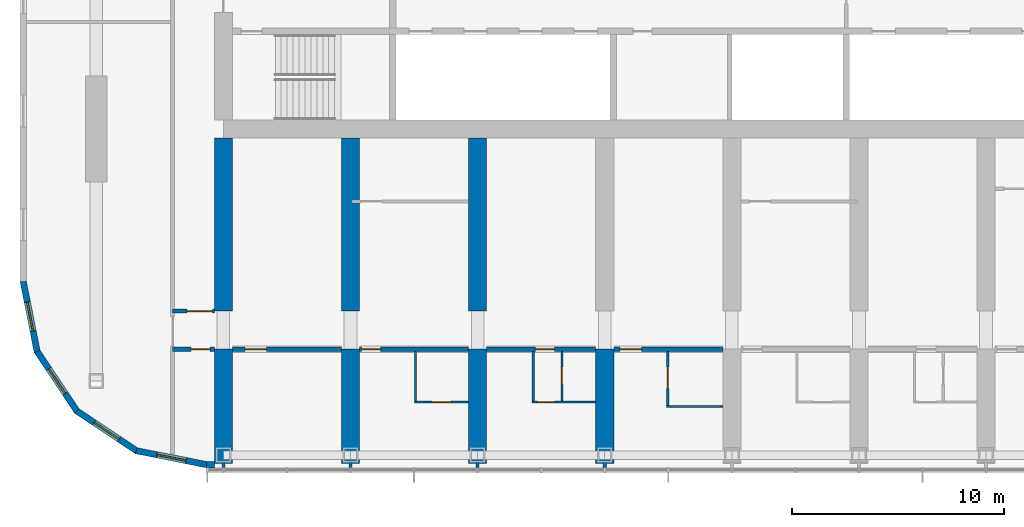
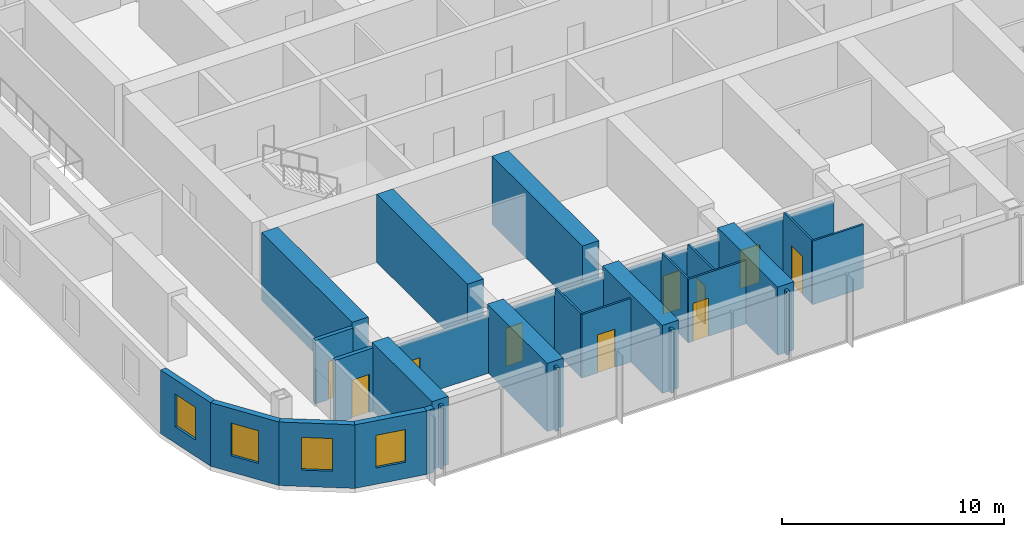
# One storey, part 10 of 22: 29 walls, 10 doors, 4 windows, 14 openings.
"""IFC4 building model written with IfcOpenShell, lengths in metres."""

from ifc_helpers import new_model, si_unit, direction, frame, frame_2d, origin, place, context, subcontext, project, spatial, polyline, rectangle, outline, extrude, material, layer, layer_set, type_object, element, fill, save


model = new_model("IFC4")

# Units and contexts
model_context = context("Model", 3, precision=1e-05, world=origin(), true_north=direction((0.0, 1.0)))
body_context = subcontext(model_context, "Body", "Model", "MODEL_VIEW")
ifc_project = project(units=[si_unit("LENGTHUNIT", "METRE"), si_unit("AREAUNIT", "SQUARE_METRE"), si_unit("VOLUMEUNIT", "CUBIC_METRE"), si_unit("PLANEANGLEUNIT", "RADIAN"), si_unit("MASSUNIT", "GRAM", prefix="KILO")], contexts=[model_context])

# Site, building, storey
site_placement = place(None, origin())
site = spatial("IfcSite", under=ifc_project, at=site_placement, CompositionType="ELEMENT")
building_placement = place(site_placement, origin())
building = spatial("IfcBuilding", under=site, at=building_placement, Name="Orbita Commons", CompositionType="ELEMENT")
storey_placement = place(building_placement, frame((0.0, 0.0, 152.35009765625)))
storey = spatial("IfcBuildingStorey", under=building, at=storey_placement, Name="L37", CompositionType="ELEMENT", Elevation=152.35009765625)

# Wall, opening, door
ifc_material_1 = material(Name="Concrete blockwork", Category="masonry")
ifc_layer_1 = layer(ifc_material_1, 0.199951171875)
ifc_layer_set_1 = layer_set([ifc_layer_1], Name="Concrete blockwork")
wall_type_1 = type_object("IfcWallType", Name="Corridor wall 200 blockwork", PredefinedType="SOLIDWALL", material=ifc_layer_set_1)
wall_1_placement = place(storey_placement, frame((15.60009765625, 15.39990234375, 0.0), z_axis=(0.0, 0.0, 1.0), x_axis=(1.0, 0.0, 0.0)))
wall_1 = element("IfcWall", 1, at=wall_1_placement, inside=storey, type_object=wall_type_1, Name="Corridor wall 200 blockwork L37", PredefinedType="SOLIDWALL", context=body_context, shape_type="SweptSolid", body=[
    extrude(rectangle(XDim=1.974853515625, YDim=0.199951171875, at=frame_2d((0.9873046875, 0.0))), origin(), (0.0, 0.0, 1.0), 3.5),
])
opening_1_placement = place(wall_1_placement, frame((0.875, 0.0, 0.0)))
opening_1 = element("IfcOpeningElement", 2, at=opening_1_placement, cuts=wall_1, Name="Opening D05", PredefinedType="OPENING", context=body_context, shape_type="SweptSolid", body=[
    extrude(rectangle(XDim=0.89990234375, YDim=2.10009765625, at=frame_2d((0.449951171875, 1.050048828125))), frame((0.0, 0.10986328125, 0.0), z_axis=(0.0, -1.0, 0.0), x_axis=(1.0, 0.0, 0.0)), (0.0, 0.0, 1.0), 0.219970703125),
])
ifc_material_2 = material(Name="Steel-faced fire door leaf", Category="steel")
door_type_1 = type_object("IfcDoorType", Name="Service door 20 min 900x2100", OperationType="SINGLE_SWING_LEFT", PredefinedType="DOOR", material=ifc_material_2)
door_1_placement = place(opening_1_placement, origin())
door_1 = element("IfcDoor", 3, at=door_1_placement, inside=storey, type_object=door_type_1, Name="Linen store L37-KWS door", OperationType="SINGLE_SWING_LEFT", OverallHeight=2.10009765625, OverallWidth=0.89990234375, PredefinedType="DOOR", context=body_context, shape_type="SweptSolid", body=[
    extrude(rectangle(XDim=0.89990234375, YDim=2.10009765625, at=frame_2d((0.449951171875, 1.050048828125))), frame((0.0, 0.02490234375, 0.0), z_axis=(0.0, -1.0, 0.0), x_axis=(1.0, 0.0, 0.0)), (0.0, 0.0, 1.0), 0.050048828125),
])
fill(opening_1, door_1)

wall_2_placement = place(storey_placement, frame((18.425048828125, 15.39990234375, 0.0), z_axis=(0.0, 0.0, 1.0), x_axis=(1.0, 0.0, 0.0)))
wall_2 = element("IfcWall", 4, at=wall_2_placement, inside=storey, type_object=wall_type_1, Name="Corridor wall 200 blockwork L37", PredefinedType="SOLIDWALL", context=body_context, shape_type="SweptSolid", body=[
    extrude(outline(polyline([(0.0, 0.0), (5.14990234375, 0.0), (5.14990234375, 3.099853515625), (0.0, 3.099853515625), (0.0, 0.0)])), frame((0.0, 0.10009765625, 0.0), z_axis=(0.0, -1.0, 0.0), x_axis=(1.0, 0.0, 0.0)), (0.0, 0.0, 1.0), 0.199951171875),
])
opening_2_placement = place(wall_2_placement, frame((0.60009765625, 0.0, 0.0)))
opening_2 = element("IfcOpeningElement", 5, at=opening_2_placement, cuts=wall_2, Name="Opening D06", PredefinedType="OPENING", context=body_context, shape_type="SweptSolid", body=[
    extrude(rectangle(XDim=1.0, YDim=2.10009765625, at=frame_2d((0.5, 1.050048828125))), frame((0.0, 0.10986328125, 0.0), z_axis=(0.0, -1.0, 0.0), x_axis=(1.0, 0.0, 0.0)), (0.0, 0.0, 1.0), 0.219970703125),
])
ifc_material_3 = material(Name="Steel-faced fire door leaf", Category="steel")
door_type_2 = type_object("IfcDoorType", Name="Corridor door 20 min 1000x2100", OperationType="SINGLE_SWING_LEFT", PredefinedType="DOOR", material=ifc_material_3)
door_2_placement = place(opening_2_placement, origin())
door_2 = element("IfcDoor", 6, at=door_2_placement, inside=storey, type_object=door_type_2, Name="Mountain-view lounge L37-S00 door", OperationType="SINGLE_SWING_LEFT", OverallHeight=2.10009765625, OverallWidth=1.0, PredefinedType="DOOR", context=body_context, shape_type="SweptSolid", body=[
    extrude(rectangle(XDim=1.0, YDim=2.10009765625, at=frame_2d((0.5, 1.050048828125))), frame((0.0, 0.02490234375, 0.0), z_axis=(0.0, -1.0, 0.0), x_axis=(1.0, 0.0, 0.0)), (0.0, 0.0, 1.0), 0.050048828125),
])
fill(opening_2, door_2)

wall_3_placement = place(storey_placement, frame((24.425048828125, 15.39990234375, 0.0), z_axis=(0.0, 0.0, 1.0), x_axis=(1.0, 0.0, 0.0)))
wall_3 = element("IfcWall", 7, at=wall_3_placement, inside=storey, type_object=wall_type_1, Name="Corridor wall 200 blockwork L37", PredefinedType="SOLIDWALL", context=body_context, shape_type="SweptSolid", body=[
    extrude(outline(polyline([(0.0, 0.0), (5.14990234375, 0.0), (5.14990234375, 3.099853515625), (0.0, 3.099853515625), (0.0, 0.0)])), frame((0.0, 0.10009765625, 0.0), z_axis=(0.0, -1.0, 0.0), x_axis=(1.0, 0.0, 0.0)), (0.0, 0.0, 1.0), 0.199951171875),
])
opening_3_placement = place(wall_3_placement, frame((0.10009765625, 0.0, 0.0)))
opening_3 = element("IfcOpeningElement", 8, at=opening_3_placement, cuts=wall_3, Name="Opening D11", PredefinedType="OPENING", context=body_context, shape_type="SweptSolid", body=[
    extrude(rectangle(XDim=0.89990234375, YDim=2.10009765625, at=frame_2d((0.449951171875, 1.050048828125))), frame((0.0, 0.10986328125, 0.0), z_axis=(0.0, -1.0, 0.0), x_axis=(1.0, 0.0, 0.0)), (0.0, 0.0, 1.0), 0.219970703125),
])
ifc_material_4 = material(Name="Steel-faced fire door leaf", Category="steel")
door_type_3 = type_object("IfcDoorType", Name="Corridor door 20 min 900x2100", OperationType="SINGLE_SWING_LEFT", PredefinedType="DOOR", material=ifc_material_4)
door_3_placement = place(opening_3_placement, origin())
door_3 = element("IfcDoor", 9, at=door_3_placement, inside=storey, type_object=door_type_3, Name="Twin room L37-S02 door", OperationType="SINGLE_SWING_LEFT", OverallHeight=2.10009765625, OverallWidth=0.89990234375, PredefinedType="DOOR", context=body_context, shape_type="SweptSolid", body=[
    extrude(rectangle(XDim=0.89990234375, YDim=2.10009765625, at=frame_2d((0.449951171875, 1.050048828125))), frame((0.0, 0.02490234375, 0.0), z_axis=(0.0, -1.0, 0.0), x_axis=(1.0, 0.0, 0.0)), (0.0, 0.0, 1.0), 0.050048828125),
])
fill(opening_3, door_3)

wall_4_placement = place(storey_placement, frame((30.425048828125, 15.39990234375, 0.0), z_axis=(0.0, 0.0, 1.0), x_axis=(1.0, 0.0, 0.0)))
wall_4 = element("IfcWall", 10, at=wall_4_placement, inside=storey, type_object=wall_type_1, Name="Corridor wall 200 blockwork L37", PredefinedType="SOLIDWALL", context=body_context, shape_type="SweptSolid", body=[
    extrude(outline(polyline([(0.0, 0.0), (5.14990234375, 0.0), (5.14990234375, 3.099853515625), (0.0, 3.099853515625), (0.0, 0.0)])), frame((0.0, 0.10009765625, 0.0), z_axis=(0.0, -1.0, 0.0), x_axis=(1.0, 0.0, 0.0)), (0.0, 0.0, 1.0), 0.199951171875),
])
opening_4_placement = place(wall_4_placement, frame((2.300048828125, 0.0, 0.0)))
opening_4 = element("IfcOpeningElement", 11, at=opening_4_placement, cuts=wall_4, Name="Opening D11", PredefinedType="OPENING", context=body_context, shape_type="SweptSolid", body=[
    extrude(rectangle(XDim=0.89990234375, YDim=2.10009765625, at=frame_2d((0.449951171875, 1.050048828125))), frame((0.0, 0.10986328125, 0.0), z_axis=(0.0, -1.0, 0.0), x_axis=(1.0, 0.0, 0.0)), (0.0, 0.0, 1.0), 0.219970703125),
])
door_4_placement = place(opening_4_placement, origin())
door_4 = element("IfcDoor", 12, at=door_4_placement, inside=storey, type_object=door_type_3, Name="Studio flat L37-S04 entrance door", OperationType="SINGLE_SWING_LEFT", OverallHeight=2.10009765625, OverallWidth=0.89990234375, PredefinedType="DOOR", context=body_context, shape_type="SweptSolid", body=[
    extrude(rectangle(XDim=0.89990234375, YDim=2.10009765625, at=frame_2d((0.449951171875, 1.050048828125))), frame((0.0, 0.02490234375, 0.0), z_axis=(0.0, -1.0, 0.0), x_axis=(1.0, 0.0, 0.0)), (0.0, 0.0, 1.0), 0.050048828125),
])
fill(opening_4, door_4)

wall_5_placement = place(storey_placement, frame((36.425048828125, 15.39990234375, 0.0), z_axis=(0.0, 0.0, 1.0), x_axis=(1.0, 0.0, 0.0)))
wall_5 = element("IfcWall", 13, at=wall_5_placement, inside=storey, type_object=wall_type_1, Name="Corridor wall 200 blockwork L37", PredefinedType="SOLIDWALL", context=body_context, shape_type="SweptSolid", body=[
    extrude(outline(polyline([(0.0, 0.0), (5.14990234375, 0.0), (5.14990234375, 3.099853515625), (0.0, 3.099853515625), (0.0, 0.0)])), frame((0.0, 0.10009765625, 0.0), z_axis=(0.0, -1.0, 0.0), x_axis=(1.0, 0.0, 0.0)), (0.0, 0.0, 1.0), 0.199951171875),
])
opening_5_placement = place(wall_5_placement, frame((0.300048828125, 0.0, 0.0)))
opening_5 = element("IfcOpeningElement", 14, at=opening_5_placement, cuts=wall_5, Name="Opening D06", PredefinedType="OPENING", context=body_context, shape_type="SweptSolid", body=[
    extrude(rectangle(XDim=1.0, YDim=2.10009765625, at=frame_2d((0.5, 1.050048828125))), frame((0.0, 0.10986328125, 0.0), z_axis=(0.0, -1.0, 0.0), x_axis=(1.0, 0.0, 0.0)), (0.0, 0.0, 1.0), 0.219970703125),
])
door_5_placement = place(opening_5_placement, origin())
door_5 = element("IfcDoor", 15, at=door_5_placement, inside=storey, type_object=door_type_2, Name="Accessible bedroom L37-S06 door", OperationType="SINGLE_SWING_LEFT", OverallHeight=2.10009765625, OverallWidth=1.0, PredefinedType="DOOR", context=body_context, shape_type="SweptSolid", body=[
    extrude(rectangle(XDim=1.0, YDim=2.10009765625, at=frame_2d((0.5, 1.050048828125))), frame((0.0, 0.02490234375, 0.0), z_axis=(0.0, -1.0, 0.0), x_axis=(1.0, 0.0, 0.0)), (0.0, 0.0, 1.0), 0.050048828125),
])
fill(opening_5, door_5)

ifc_material_5 = material(Name="Hollow concrete block 200", Category="concrete")
ifc_layer_2 = layer(ifc_material_5, 0.199951171875)
ifc_layer_set_2 = layer_set([ifc_layer_2], Name="Hollow concrete block 200")
wall_type_2 = type_object("IfcWallType", Name="Corridor wall 200 hollow concrete block", PredefinedType="SOLIDWALL", material=ifc_layer_set_2)
wall_6_placement = place(storey_placement, frame((15.60009765625, 17.199951171875, 0.0), z_axis=(0.0, 0.0, 1.0), x_axis=(1.0, 0.0, 0.0)))
wall_6 = element("IfcWall", 16, at=wall_6_placement, inside=storey, type_object=wall_type_2, Name="Corridor wall 200 hollow concrete block L37", PredefinedType="SOLIDWALL", context=body_context, shape_type="SweptSolid", body=[
    extrude(rectangle(XDim=1.974853515625, YDim=0.199951171875, at=frame_2d((0.9873046875, 0.0))), origin(), (0.0, 0.0, 1.0), 3.5),
])
opening_6_placement = place(wall_6_placement, frame((0.675048828125, 0.0, 0.0)))
opening_6 = element("IfcOpeningElement", 17, at=opening_6_placement, cuts=wall_6, Name="Opening D12", PredefinedType="OPENING", context=body_context, shape_type="SweptSolid", body=[
    extrude(rectangle(XDim=1.199951171875, YDim=2.10009765625, at=frame_2d((0.60009765625, 1.050048828125))), frame((0.0, 0.10986328125, 0.0), z_axis=(0.0, -1.0, 0.0), x_axis=(1.0, 0.0, 0.0)), (0.0, 0.0, 1.0), 0.219970703125),
])
ifc_material_6 = material(Name="Steel-faced fire door leaf", Category="steel")
door_type_4 = type_object("IfcDoorType", Name="Double corridor door 20 min 1200x2100", OperationType="DOUBLE_DOOR_SINGLE_SWING", PredefinedType="DOOR", material=ifc_material_6)
door_6_placement = place(opening_6_placement, origin())
door_6 = element("IfcDoor", 18, at=door_6_placement, inside=storey, type_object=door_type_4, Name="Cross corridor doors", OperationType="DOUBLE_DOOR_SINGLE_SWING", OverallHeight=2.10009765625, OverallWidth=1.199951171875, PredefinedType="DOOR", context=body_context, shape_type="SweptSolid", body=[
    extrude(rectangle(XDim=1.199951171875, YDim=2.10009765625, at=frame_2d((0.60009765625, 1.050048828125))), frame((0.0, 0.02490234375, 0.0), z_axis=(0.0, -1.0, 0.0), x_axis=(1.0, 0.0, 0.0)), (0.0, 0.0, 1.0), 0.050048828125),
])
fill(opening_6, door_6)

# Walls
ifc_material_7 = material(Name="Concrete C50/60", Category="concrete")
ifc_layer_3 = layer(ifc_material_7, 0.85009765625)
ifc_layer_set_3 = layer_set([ifc_layer_3], Name="Concrete C50/60")
wall_type_3 = type_object("IfcWallType", Name="Cross wall 850 C50/60", PredefinedType="SHEAR", material=ifc_layer_set_3)
wall_7_placement = place(storey_placement, frame((18.0, 10.0, 0.0), z_axis=(0.0, 0.0, 1.0), x_axis=(0.0, 1.0, 0.0)))
element("IfcWall", 19, at=wall_7_placement, inside=storey, type_object=wall_type_3, Name="Cross wall 4 south outer L37", PredefinedType="SHEAR", context=body_context, shape_type="SweptSolid", body=[
    extrude(rectangle(XDim=5.39990234375, YDim=0.85009765625, at=frame_2d((2.699951171875, 0.0))), origin(), (0.0, 0.0, 1.0), 3.75),
])
wall_8_placement = place(storey_placement, frame((18.0, 17.199951171875, 0.0), z_axis=(0.0, 0.0, 1.0), x_axis=(0.0, 1.0, 0.0)))
element("IfcWall", 20, at=wall_8_placement, inside=storey, type_object=wall_type_3, Name="Cross wall 4 south inner L37", PredefinedType="SHEAR", context=body_context, shape_type="SweptSolid", body=[
    extrude(rectangle(XDim=8.175048828125, YDim=0.85009765625, at=frame_2d((4.08740234375, 0.0))), origin(), (0.0, 0.0, 1.0), 3.75),
])
wall_9_placement = place(storey_placement, frame((24.0, 10.0, 0.0), z_axis=(0.0, 0.0, 1.0), x_axis=(0.0, 1.0, 0.0)))
element("IfcWall", 21, at=wall_9_placement, inside=storey, type_object=wall_type_3, Name="Cross wall 5 south outer L37", PredefinedType="SHEAR", context=body_context, shape_type="SweptSolid", body=[
    extrude(rectangle(XDim=5.39990234375, YDim=0.85009765625, at=frame_2d((2.699951171875, 0.0))), origin(), (0.0, 0.0, 1.0), 3.75),
])
wall_10_placement = place(storey_placement, frame((24.0, 17.199951171875, 0.0), z_axis=(0.0, 0.0, 1.0), x_axis=(0.0, 1.0, 0.0)))
element("IfcWall", 22, at=wall_10_placement, inside=storey, type_object=wall_type_3, Name="Cross wall 5 south inner L37", PredefinedType="SHEAR", context=body_context, shape_type="SweptSolid", body=[
    extrude(rectangle(XDim=8.175048828125, YDim=0.85009765625, at=frame_2d((4.08740234375, 0.0))), origin(), (0.0, 0.0, 1.0), 3.75),
])
wall_11_placement = place(storey_placement, frame((30.0, 10.0, 0.0), z_axis=(0.0, 0.0, 1.0), x_axis=(0.0, 1.0, 0.0)))
element("IfcWall", 23, at=wall_11_placement, inside=storey, type_object=wall_type_3, Name="Cross wall 6 south outer L37", PredefinedType="SHEAR", context=body_context, shape_type="SweptSolid", body=[
    extrude(rectangle(XDim=5.39990234375, YDim=0.85009765625, at=frame_2d((2.699951171875, 0.0))), origin(), (0.0, 0.0, 1.0), 3.75),
])
wall_12_placement = place(storey_placement, frame((30.0, 17.199951171875, 0.0), z_axis=(0.0, 0.0, 1.0), x_axis=(0.0, 1.0, 0.0)))
element("IfcWall", 24, at=wall_12_placement, inside=storey, type_object=wall_type_3, Name="Cross wall 6 south inner L37", PredefinedType="SHEAR", context=body_context, shape_type="SweptSolid", body=[
    extrude(rectangle(XDim=8.175048828125, YDim=0.85009765625, at=frame_2d((4.08740234375, 0.0))), origin(), (0.0, 0.0, 1.0), 3.75),
])
wall_13_placement = place(storey_placement, frame((36.0, 10.0, 0.0), z_axis=(0.0, 0.0, 1.0), x_axis=(0.0, 1.0, 0.0)))
element("IfcWall", 25, at=wall_13_placement, inside=storey, type_object=wall_type_3, Name="Cross wall 7 south outer L37", PredefinedType="SHEAR", context=body_context, shape_type="SweptSolid", body=[
    extrude(rectangle(XDim=5.39990234375, YDim=0.85009765625, at=frame_2d((2.699951171875, 0.0))), origin(), (0.0, 0.0, 1.0), 3.75),
])

# Wall, opening, door
ifc_material_8 = material(Name="Moisture-resistant plasterboard on steel studs", Category="steel")
ifc_layer_4 = layer(ifc_material_8, 0.10009765625)
ifc_layer_set_4 = layer_set([ifc_layer_4], Name="Moisture-resistant plasterboard on steel studs")
wall_type_4 = type_object("IfcWallType", Name="En-suite partition 100", PredefinedType="PARTITIONING", material=ifc_layer_set_4)
wall_14_placement = place(storey_placement, frame((29.574951171875, 12.89990234375, 0.0), z_axis=(0.0, 0.0, 1.0), x_axis=(-1.0, 0.0, 0.0)))
wall_14 = element("IfcWall", 26, at=wall_14_placement, inside=storey, type_object=wall_type_4, Name="En-suite partition 100 L37", PredefinedType="PARTITIONING", context=body_context, shape_type="SweptSolid", body=[
    extrude(rectangle(XDim=2.550048828125, YDim=0.10009765625, at=frame_2d((1.27490234375, 0.0))), origin(), (0.0, 0.0, 1.0), 3.5),
])
opening_7_placement = place(wall_14_placement, frame((0.824951171875, 0.0, 0.0)))
opening_7 = element("IfcOpeningElement", 27, at=opening_7_placement, cuts=wall_14, Name="Opening D09", PredefinedType="OPENING", context=body_context, shape_type="SweptSolid", body=[
    extrude(rectangle(XDim=0.89990234375, YDim=2.10009765625, at=frame_2d((0.449951171875, 1.050048828125))), frame((0.0, 0.06005859375, 0.0), z_axis=(0.0, -1.0, 0.0), x_axis=(1.0, 0.0, 0.0)), (0.0, 0.0, 1.0), 0.1201171875),
])
ifc_material_9 = material(Name="Laminated timber door leaf", Category="wood")
door_type_5 = type_object("IfcDoorType", Name="En-suite door 900x2100", OperationType="SINGLE_SWING_RIGHT", PredefinedType="DOOR", material=ifc_material_9)
door_7_placement = place(opening_7_placement, origin())
door_7 = element("IfcDoor", 28, at=door_7_placement, inside=storey, type_object=door_type_5, Name="En-suite L37-S02 door", OperationType="SINGLE_SWING_RIGHT", OverallHeight=2.10009765625, OverallWidth=0.89990234375, PredefinedType="DOOR", context=body_context, shape_type="SweptSolid", body=[
    extrude(rectangle(XDim=0.89990234375, YDim=2.10009765625, at=frame_2d((0.449951171875, 1.050048828125))), frame((0.0, 0.02490234375, 0.0), z_axis=(0.0, -1.0, 0.0), x_axis=(1.0, 0.0, 0.0)), (0.0, 0.0, 1.0), 0.050048828125),
])
fill(opening_7, door_7)

# Wall
wall_15_placement = place(storey_placement, frame((27.074951171875, 12.949951171875, 0.0), z_axis=(0.0, 0.0, 1.0), x_axis=(0.0, 1.0, 0.0)))
element("IfcWall", 29, at=wall_15_placement, inside=storey, type_object=wall_type_4, Name="En-suite partition 100 L37", PredefinedType="PARTITIONING", context=body_context, shape_type="SweptSolid", body=[
    extrude(outline(polyline([(0.0, 0.0), (2.35009765625, 0.0), (2.35009765625, 3.099853515625), (2.302001953125, 3.099853515625), (2.300048828125, 3.5), (0.0, 3.5), (0.0, 0.0)])), frame((0.0, 0.050048828125, 0.0), z_axis=(0.0, -1.0, 0.0), x_axis=(1.0, 0.0, 0.0)), (0.0, 0.0, 1.0), 0.10009765625),
])

# Wall, opening, door
wall_16_placement = place(storey_placement, frame((35.574951171875, 12.89990234375, 0.0), z_axis=(0.0, 0.0, 1.0), x_axis=(-1.0, 0.0, 0.0)))
wall_16 = element("IfcWall", 30, at=wall_16_placement, inside=storey, type_object=wall_type_4, Name="En-suite partition 100 L37", PredefinedType="PARTITIONING", context=body_context, shape_type="SweptSolid", body=[
    extrude(rectangle(XDim=3.0, YDim=0.10009765625, at=frame_2d((1.5, 0.0))), origin(), (0.0, 0.0, 1.0), 3.5),
])
opening_8_placement = place(wall_16_placement, frame((1.949951171875, 0.0, 0.0)))
opening_8 = element("IfcOpeningElement", 31, at=opening_8_placement, cuts=wall_16, Name="Opening D16", PredefinedType="OPENING", context=body_context, shape_type="SweptSolid", body=[
    extrude(rectangle(XDim=0.800048828125, YDim=2.10009765625, at=frame_2d((0.39990234375, 1.050048828125))), frame((0.0, 0.06005859375, 0.0), z_axis=(0.0, -1.0, 0.0), x_axis=(1.0, 0.0, 0.0)), (0.0, 0.0, 1.0), 0.1201171875),
])
ifc_material_10 = material(Name="Laminated timber door leaf", Category="wood")
door_type_6 = type_object("IfcDoorType", Name="En-suite door 800x2100", OperationType="SINGLE_SWING_RIGHT", PredefinedType="DOOR", material=ifc_material_10)
door_8_placement = place(opening_8_placement, origin())
door_8 = element("IfcDoor", 32, at=door_8_placement, inside=storey, type_object=door_type_6, Name="Studio flat L37-S04 door", OperationType="SINGLE_SWING_RIGHT", OverallHeight=2.10009765625, OverallWidth=0.800048828125, PredefinedType="DOOR", context=body_context, shape_type="SweptSolid", body=[
    extrude(rectangle(XDim=0.800048828125, YDim=2.10009765625, at=frame_2d((0.39990234375, 1.050048828125))), frame((0.0, 0.02490234375, 0.0), z_axis=(0.0, -1.0, 0.0), x_axis=(1.0, 0.0, 0.0)), (0.0, 0.0, 1.0), 0.050048828125),
])
fill(opening_8, door_8)

# Wall
wall_17_placement = place(storey_placement, frame((32.625, 12.949951171875, 0.0), z_axis=(0.0, 0.0, 1.0), x_axis=(0.0, 1.0, 0.0)))
element("IfcWall", 33, at=wall_17_placement, inside=storey, type_object=wall_type_4, Name="En-suite partition 100 L37", PredefinedType="PARTITIONING", context=body_context, shape_type="SweptSolid", body=[
    extrude(outline(polyline([(0.0, 0.0), (2.35009765625, 0.0), (2.35009765625, 3.099853515625), (2.302001953125, 3.099853515625), (2.300048828125, 3.5), (0.0, 3.5), (0.0, 0.0)])), frame((0.0, 0.050048828125, 0.0), z_axis=(0.0, -1.0, 0.0), x_axis=(1.0, 0.0, 0.0)), (0.0, 0.0, 1.0), 0.10009765625),
])

# Wall, opening, door
wall_18_placement = place(storey_placement, frame((33.97509765625, 12.949951171875, 0.0), z_axis=(0.0, 0.0, 1.0), x_axis=(0.0, 1.0, 0.0)))
wall_18 = element("IfcWall", 34, at=wall_18_placement, inside=storey, type_object=wall_type_4, Name="En-suite partition 100 L37", PredefinedType="PARTITIONING", context=body_context, shape_type="SweptSolid", body=[
    extrude(outline(polyline([(0.0, 0.0), (2.35009765625, 0.0), (2.35009765625, 3.099853515625), (2.302001953125, 3.099853515625), (2.300048828125, 3.5), (0.0, 3.5), (0.0, 0.0)])), frame((0.0, 0.050048828125, 0.0), z_axis=(0.0, -1.0, 0.0), x_axis=(1.0, 0.0, 0.0)), (0.0, 0.0, 1.0), 0.10009765625),
])
opening_9_placement = place(wall_18_placement, frame((0.800048828125, 0.0, 0.0)))
opening_9 = element("IfcOpeningElement", 35, at=opening_9_placement, cuts=wall_18, Name="Opening D16", PredefinedType="OPENING", context=body_context, shape_type="SweptSolid", body=[
    extrude(rectangle(XDim=0.800048828125, YDim=2.10009765625, at=frame_2d((0.39990234375, 1.050048828125))), frame((0.0, 0.06005859375, 0.0), z_axis=(0.0, -1.0, 0.0), x_axis=(1.0, 0.0, 0.0)), (0.0, 0.0, 1.0), 0.1201171875),
])
door_9_placement = place(opening_9_placement, origin())
door_9 = element("IfcDoor", 36, at=door_9_placement, inside=storey, type_object=door_type_6, Name="Studio flat shower room L37-S04 door", OperationType="SINGLE_SWING_RIGHT", OverallHeight=2.10009765625, OverallWidth=0.800048828125, PredefinedType="DOOR", context=body_context, shape_type="SweptSolid", body=[
    extrude(rectangle(XDim=0.800048828125, YDim=2.10009765625, at=frame_2d((0.39990234375, 1.050048828125))), frame((0.0, 0.02490234375, 0.0), z_axis=(0.0, -1.0, 0.0), x_axis=(1.0, 0.0, 0.0)), (0.0, 0.0, 1.0), 0.050048828125),
])
fill(opening_9, door_9)

# Wall
wall_19_placement = place(storey_placement, frame((38.925048828125, 12.699951171875, 0.0), z_axis=(0.0, 0.0, 1.0), x_axis=(1.0, 0.0, 0.0)))
element("IfcWall", 37, at=wall_19_placement, inside=storey, type_object=wall_type_4, Name="En-suite partition 100 L37", PredefinedType="PARTITIONING", context=body_context, shape_type="SweptSolid", body=[
    extrude(rectangle(XDim=2.64990234375, YDim=0.10009765625, at=frame_2d((1.324951171875, 0.0))), origin(), (0.0, 0.0, 1.0), 3.5),
])

# Wall, opening, door
wall_20_placement = place(storey_placement, frame((38.97509765625, 12.75, 0.0), z_axis=(0.0, 0.0, 1.0), x_axis=(0.0, 1.0, 0.0)))
wall_20 = element("IfcWall", 38, at=wall_20_placement, inside=storey, type_object=wall_type_4, Name="En-suite partition 100 L37", PredefinedType="PARTITIONING", context=body_context, shape_type="SweptSolid", body=[
    extrude(outline(polyline([(0.0, 0.0), (2.550048828125, 0.0), (2.550048828125, 3.099853515625), (2.501953125, 3.099853515625), (2.5, 3.5), (0.0, 3.5), (0.0, 0.0)])), frame((0.0, 0.050048828125, 0.0), z_axis=(0.0, -1.0, 0.0), x_axis=(1.0, 0.0, 0.0)), (0.0, 0.0, 1.0), 0.10009765625),
])
opening_10_placement = place(wall_20_placement, frame((0.800048828125, 0.0, 0.0)))
opening_10 = element("IfcOpeningElement", 39, at=opening_10_placement, cuts=wall_20, Name="Opening D13", PredefinedType="OPENING", context=body_context, shape_type="SweptSolid", body=[
    extrude(rectangle(XDim=1.0, YDim=2.10009765625, at=frame_2d((0.5, 1.050048828125))), frame((0.0, 0.06005859375, 0.0), z_axis=(0.0, -1.0, 0.0), x_axis=(1.0, 0.0, 0.0)), (0.0, 0.0, 1.0), 0.1201171875),
])
ifc_material_11 = material(Name="Laminated timber door leaf", Category="wood")
door_type_7 = type_object("IfcDoorType", Name="En-suite door 1000x2100", OperationType="SINGLE_SWING_RIGHT", PredefinedType="DOOR", material=ifc_material_11)
door_10_placement = place(opening_10_placement, origin())
door_10 = element("IfcDoor", 40, at=door_10_placement, inside=storey, type_object=door_type_7, Name="Accessible shower room L37-S06 door", OperationType="SINGLE_SWING_RIGHT", OverallHeight=2.10009765625, OverallWidth=1.0, PredefinedType="DOOR", context=body_context, shape_type="SweptSolid", body=[
    extrude(rectangle(XDim=1.0, YDim=2.10009765625, at=frame_2d((0.5, 1.050048828125))), frame((0.0, 0.02490234375, 0.0), z_axis=(0.0, -1.0, 0.0), x_axis=(1.0, 0.0, 0.0)), (0.0, 0.0, 1.0), 0.050048828125),
])
fill(opening_10, door_10)

# Walls
ifc_material_12 = material(Name="Gypsum plasterboard on steel studs", Category="steel")
ifc_layer_5 = layer(ifc_material_12, 0.14990234375)
ifc_layer_set_5 = layer_set([ifc_layer_5], Name="Gypsum plasterboard on steel studs")
wall_type_5 = type_object("IfcWallType", Name="Partition 150 plasterboard", PredefinedType="PARTITIONING", material=ifc_layer_set_5)
for number, where, z_axis, x_axis, name in (
    (41, (18.0, 10.050048828125, 0.0), (0.0, 0.0, 1.0), (0.0, -1.0, 0.0), "Partition 150 plasterboard L37"),
    (42, (24.0, 10.050048828125, 0.0), (0.0, 0.0, 1.0), (0.0, -1.0, 0.0), "Partition 150 plasterboard L37"),
    (43, (30.0, 10.050048828125, 0.0), (0.0, 0.0, 1.0), (0.0, -1.0, 0.0), "Partition 150 plasterboard L37"),
    (44, (36.0, 10.050048828125, 0.0), (0.0, 0.0, 1.0), (0.0, -1.0, 0.0), "Partition 150 plasterboard L37"),
):
    element("IfcWall", number, at=place(storey_placement, frame(where, z_axis=z_axis, x_axis=x_axis)), inside=storey, type_object=wall_type_5, Name=name, PredefinedType="PARTITIONING", context=body_context, shape_type="SweptSolid", body=[
        extrude(rectangle(XDim=0.239990234375, YDim=0.14990234375, at=frame_2d((0.1201171875, 0.0))), origin(), (0.0, 0.0, 1.0), 3.5),
    ])

# Wall, opening, window
ifc_material_13 = material(Name="Precast concrete C40/50, white board-marked finish", Category="concrete")
ifc_layer_6 = layer(ifc_material_13, 0.300048828125)
ifc_layer_set_6 = layer_set([ifc_layer_6], Name="Precast concrete C40/50, white board-marked finish")
wall_type_6 = type_object("IfcWallType", Name="Precast concrete end shield 300", PredefinedType="SOLIDWALL", material=ifc_layer_set_6)
wall_21_placement = place(storey_placement, frame((8.550048828125, 18.60009765625, 0.0), z_axis=(0.0, 0.0, 1.0), x_axis=(0.19508664885, -0.980786011034, 0.0)))
wall_21 = element("IfcWall", 45, at=wall_21_placement, inside=storey, type_object=wall_type_6, Name="End shield SW chord 1 L37", PredefinedType="SOLIDWALL", context=body_context, shape_type="SweptSolid", body=[
    extrude(outline(polyline([(-0.014892578125, -0.14990234375), (3.405029296875, -0.14990234375), (3.345458984375, 0.14990234375), (0.014892578125, 0.14990234375), (-0.014892578125, -0.14990234375)])), origin(), (0.0, 0.0, 1.0), 3.5),
])
opening_11_placement = place(wall_21_placement, frame((0.987548828125, 0.0, 0.89990234375)))
opening_11 = element("IfcOpeningElement", 46, at=opening_11_placement, cuts=wall_21, Name="Opening W02", PredefinedType="OPENING", context=body_context, shape_type="SweptSolid", body=[
    extrude(rectangle(XDim=1.39990234375, YDim=1.800048828125, at=frame_2d((0.699951171875, 0.89990234375))), frame((0.0, 0.159912109375, 0.0), z_axis=(0.0, -1.0, 0.0), x_axis=(1.0, 0.0, 0.0)), (0.0, 0.0, 1.0), 0.320068359375),
])
ifc_material_14 = material(Name="Aluminium frame, clear double glazing", Category="aluminium")
window_type = type_object("IfcWindowType", Name="Deep-set window 1400x1800", PartitioningType="SINGLE_PANEL", PredefinedType="WINDOW", material=ifc_material_14)
window_1_placement = place(opening_11_placement, origin())
window_1 = element("IfcWindow", 47, at=window_1_placement, inside=storey, type_object=window_type, Name="Window L37-SW0", OverallHeight=1.800048828125, OverallWidth=1.39990234375, PartitioningType="SINGLE_PANEL", PredefinedType="WINDOW", context=body_context, shape_type="SweptSolid", body=[
    extrude(rectangle(XDim=1.39990234375, YDim=1.800048828125, at=frame_2d((0.699951171875, 0.89990234375))), frame((0.0, 0.030029296875, 0.0), z_axis=(0.0, -1.0, 0.0), x_axis=(1.0, 0.0, 0.0)), (0.0, 0.0, 1.0), 0.06005859375),
])
fill(opening_11, window_1)

wall_22_placement = place(storey_placement, frame((9.20849609375, 15.289794921875, 0.0), z_axis=(0.0, 0.0, 1.0), x_axis=(0.555534554399, -0.831493450887, 0.0)))
wall_22 = element("IfcWall", 48, at=wall_22_placement, inside=storey, type_object=wall_type_6, Name="End shield SW chord 2 L37", PredefinedType="SOLIDWALL", context=body_context, shape_type="SweptSolid", body=[
    extrude(outline(polyline([(-0.02978515625, -0.14990234375), (3.405029296875, -0.14990234375), (3.345458984375, 0.14990234375), (0.02978515625, 0.14990234375), (-0.02978515625, -0.14990234375)])), origin(), (0.0, 0.0, 1.0), 3.5),
])
opening_12_placement = place(wall_22_placement, frame((0.987548828125, 0.0, 0.89990234375)))
opening_12 = element("IfcOpeningElement", 49, at=opening_12_placement, cuts=wall_22, Name="Opening W02", PredefinedType="OPENING", context=body_context, shape_type="SweptSolid", body=[
    extrude(rectangle(XDim=1.39990234375, YDim=1.800048828125, at=frame_2d((0.699951171875, 0.89990234375))), frame((0.0, 0.159912109375, 0.0), z_axis=(0.0, -1.0, 0.0), x_axis=(1.0, 0.0, 0.0)), (0.0, 0.0, 1.0), 0.320068359375),
])
window_2_placement = place(opening_12_placement, origin())
window_2 = element("IfcWindow", 50, at=window_2_placement, inside=storey, type_object=window_type, Name="Window L37-SW1", OverallHeight=1.800048828125, OverallWidth=1.39990234375, PartitioningType="SINGLE_PANEL", PredefinedType="WINDOW", context=body_context, shape_type="SweptSolid", body=[
    extrude(rectangle(XDim=1.39990234375, YDim=1.800048828125, at=frame_2d((0.699951171875, 0.89990234375))), frame((0.0, 0.030029296875, 0.0), z_axis=(0.0, -1.0, 0.0), x_axis=(1.0, 0.0, 0.0)), (0.0, 0.0, 1.0), 0.06005859375),
])
fill(opening_12, window_2)

wall_23_placement = place(storey_placement, frame((11.08349609375, 12.4833984375, 0.0), z_axis=(0.0, 0.0, 1.0), x_axis=(0.831493450887, -0.555534554399, 0.0)))
wall_23 = element("IfcWall", 51, at=wall_23_placement, inside=storey, type_object=wall_type_6, Name="End shield SW chord 3 L37", PredefinedType="SOLIDWALL", context=body_context, shape_type="SweptSolid", body=[
    extrude(outline(polyline([(-0.02978515625, -0.14990234375), (3.405029296875, -0.14990234375), (3.345458984375, 0.14990234375), (0.02978515625, 0.14990234375), (-0.02978515625, -0.14990234375)])), origin(), (0.0, 0.0, 1.0), 3.5),
])
opening_13_placement = place(wall_23_placement, frame((0.987548828125, 0.0, 0.89990234375)))
opening_13 = element("IfcOpeningElement", 52, at=opening_13_placement, cuts=wall_23, Name="Opening W02", PredefinedType="OPENING", context=body_context, shape_type="SweptSolid", body=[
    extrude(rectangle(XDim=1.39990234375, YDim=1.800048828125, at=frame_2d((0.699951171875, 0.89990234375))), frame((0.0, 0.159912109375, 0.0), z_axis=(0.0, -1.0, 0.0), x_axis=(1.0, 0.0, 0.0)), (0.0, 0.0, 1.0), 0.320068359375),
])
window_3_placement = place(opening_13_placement, origin())
window_3 = element("IfcWindow", 53, at=window_3_placement, inside=storey, type_object=window_type, Name="Window L37-SW2", OverallHeight=1.800048828125, OverallWidth=1.39990234375, PartitioningType="SINGLE_PANEL", PredefinedType="WINDOW", context=body_context, shape_type="SweptSolid", body=[
    extrude(rectangle(XDim=1.39990234375, YDim=1.800048828125, at=frame_2d((0.699951171875, 0.89990234375))), frame((0.0, 0.030029296875, 0.0), z_axis=(0.0, -1.0, 0.0), x_axis=(1.0, 0.0, 0.0)), (0.0, 0.0, 1.0), 0.06005859375),
])
fill(opening_13, window_3)

wall_24_placement = place(storey_placement, frame((13.889892578125, 10.6083984375, 0.0), z_axis=(0.0, 0.0, 1.0), x_axis=(0.98078325777, -0.195100490205, 0.0)))
wall_24 = element("IfcWall", 54, at=wall_24_placement, inside=storey, type_object=wall_type_6, Name="End shield SW chord 4 L37", PredefinedType="SOLIDWALL", context=body_context, shape_type="SweptSolid", body=[
    extrude(outline(polyline([(-0.02978515625, -0.14990234375), (3.40478515625, -0.14990234375), (3.34521484375, 0.14990234375), (0.02978515625, 0.14990234375), (-0.02978515625, -0.14990234375)])), origin(), (0.0, 0.0, 1.0), 3.5),
])
opening_14_placement = place(wall_24_placement, frame((0.987548828125, 0.0, 0.89990234375)))
opening_14 = element("IfcOpeningElement", 55, at=opening_14_placement, cuts=wall_24, Name="Opening W02", PredefinedType="OPENING", context=body_context, shape_type="SweptSolid", body=[
    extrude(rectangle(XDim=1.39990234375, YDim=1.800048828125, at=frame_2d((0.699951171875, 0.89990234375))), frame((0.0, 0.159912109375, 0.0), z_axis=(0.0, -1.0, 0.0), x_axis=(1.0, 0.0, 0.0)), (0.0, 0.0, 1.0), 0.320068359375),
])
window_4_placement = place(opening_14_placement, origin())
window_4 = element("IfcWindow", 56, at=window_4_placement, inside=storey, type_object=window_type, Name="Window L37-SW3", OverallHeight=1.800048828125, OverallWidth=1.39990234375, PartitioningType="SINGLE_PANEL", PredefinedType="WINDOW", context=body_context, shape_type="SweptSolid", body=[
    extrude(rectangle(XDim=1.39990234375, YDim=1.800048828125, at=frame_2d((0.699951171875, 0.89990234375))), frame((0.0, 0.030029296875, 0.0), z_axis=(0.0, -1.0, 0.0), x_axis=(1.0, 0.0, 0.0)), (0.0, 0.0, 1.0), 0.06005859375),
])
fill(opening_14, window_4)

# Wall
wall_25_placement = place(storey_placement, frame((17.199951171875, 9.949951171875, 0.0), z_axis=(0.0, 0.0, 1.0), x_axis=(1.0, 0.0, 0.0)))
element("IfcWall", 57, at=wall_25_placement, inside=storey, type_object=wall_type_6, Name="End shield SW closer L37", PredefinedType="SOLIDWALL", context=body_context, shape_type="SweptSolid", body=[
    extrude(rectangle(XDim=0.375, YDim=0.300048828125, at=frame_2d((0.1875, 0.0))), origin(), (0.0, 0.0, 1.0), 3.5),
])

save(model, "model.ifc")
